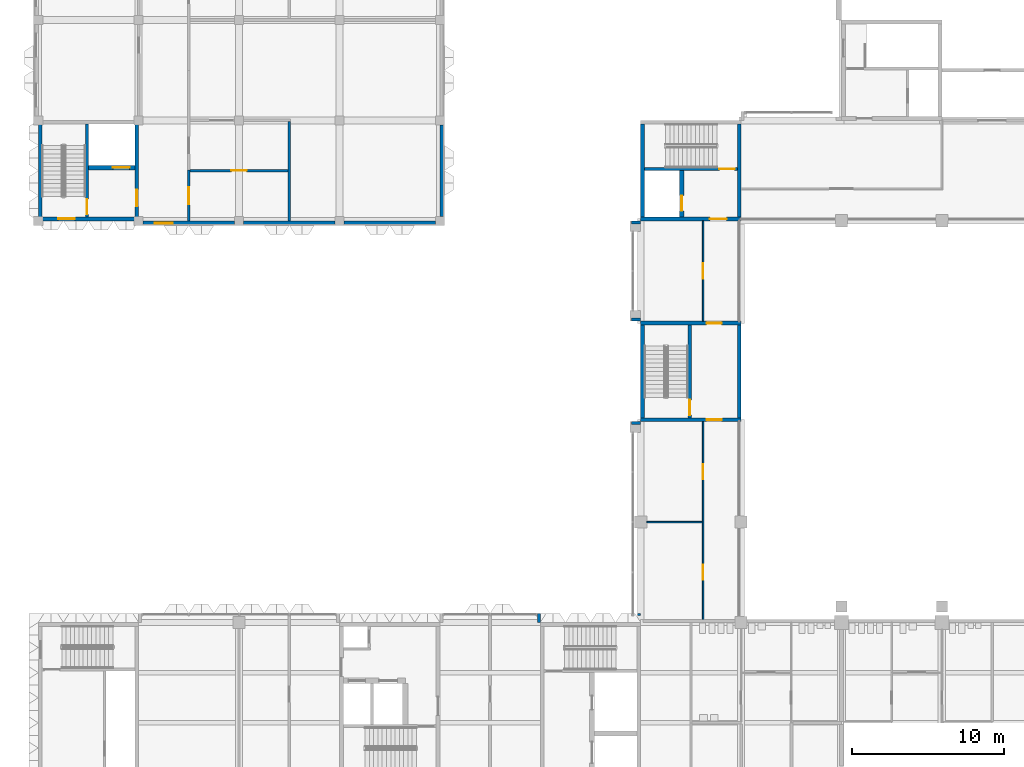
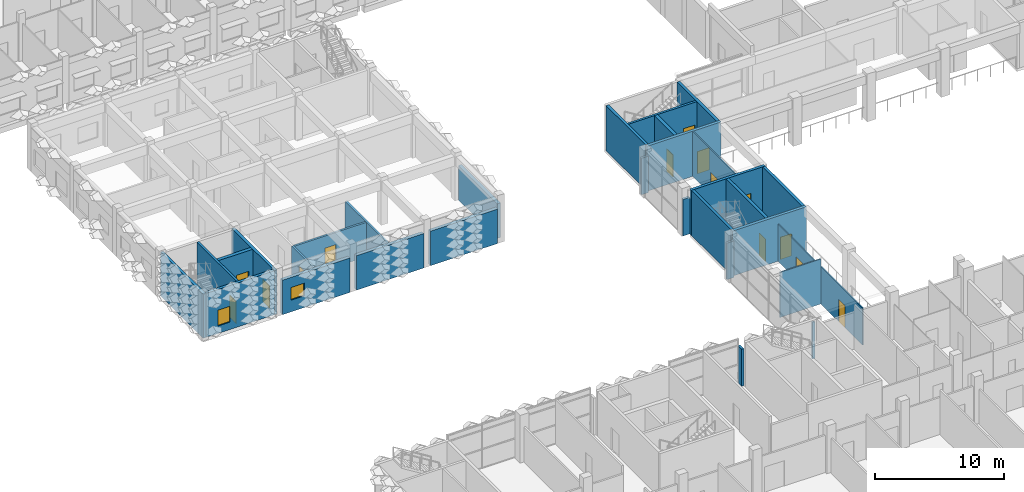
# One storey, part 30 of 87: 30 walls, 14 doors, 2 windows, 16 openings.
"""IFC4 building model written with IfcOpenShell, lengths in metres."""

import ifcopenshell
import ifcopenshell.guid

model = None  # the IFC model being written
_history = None  # IfcOwnerHistory: only IFC2X3 demands one
_inside = {}  # id of a spatial element -> (the spatial element, [elements in it])
_under = {}  # id of a project, library or spatial element -> (it, [spatial elements below it])
_declared = {}  # id of a project -> (the project, [libraries it declares])
_typed = {}  # id of a type object -> (the type object, [elements of that type])
_made_of = {}  # id of a material, layer set ... -> (it, [elements and type objects made of it])


def new_model(schema):
    """Start an empty IFC model of exactly this schema.

    Asked for "IFC4X3", IfcOpenShell would pick the latest addendum, in which some entities
    have other attributes; the version numbers below select the first issue.
    IFC2X3 requires an IfcOwnerHistory on every rooted entity: one is made here for all.
    """
    global model, _history
    if schema == "IFC4X3":
        model = ifcopenshell.file(schema_version=(4, 3, 0, 0))
    else:
        model = ifcopenshell.file(schema=schema)
    _inside.clear()
    _under.clear()
    _declared.clear()
    _typed.clear()
    _made_of.clear()
    _history = None
    if model.schema == "IFC2X3":
        org = make("IfcOrganization", Name="unknown")
        user = make(
            "IfcPersonAndOrganization",
            ThePerson=make("IfcPerson", FamilyName="unknown"),
            TheOrganization=org,
        )
        app = make(
            "IfcApplication",
            ApplicationDeveloper=org,
            Version="unknown",
            ApplicationFullName="unknown",
            ApplicationIdentifier="unknown",
        )
        _history = make(
            "IfcOwnerHistory",
            OwningUser=user,
            OwningApplication=app,
            ChangeAction="ADDED",
            CreationDate=0,
        )
    return model


def make(cls, **values):
    """One entity of the class cls with the attributes given. An attribute that is None is left unset."""
    return model.create_entity(
        cls, **{name: value for name, value in values.items() if value is not None}
    )


def rooted(cls, **values):
    """An entity with a GlobalId (a new one), such as an element, a storey or a relation."""
    return make(cls, GlobalId=ifcopenshell.guid.new(), OwnerHistory=_history, **values)


def si_unit(unit_type, name, prefix=None):
    """IfcSIUnit, for example si_unit("LENGTHUNIT", "METRE", prefix="MILLI")."""
    return make("IfcSIUnit", UnitType=unit_type, Prefix=prefix, Name=name)


def assignment(units):
    """IfcUnitAssignment: the units of a project."""
    return None if units is None else make("IfcUnitAssignment", Units=units)


def point(xyz):
    """IfcCartesianPoint."""
    return None if xyz is None else make("IfcCartesianPoint", Coordinates=xyz)


def direction(xyz):
    """IfcDirection."""
    return None if xyz is None else make("IfcDirection", DirectionRatios=xyz)


def frame(location, z_axis=None, x_axis=None):
    """IfcAxis2Placement3D, a coordinate frame: its origin and axes. An axis left out is left unset."""
    return make(
        "IfcAxis2Placement3D",
        Location=point(location),
        Axis=direction(z_axis),
        RefDirection=direction(x_axis),
    )


def frame_2d(location, x_axis=None):
    """IfcAxis2Placement2D, a coordinate frame in the plane: its origin and x axis."""
    return make(
        "IfcAxis2Placement2D", Location=point(location), RefDirection=direction(x_axis)
    )


def origin():
    """The frame at (0, 0, 0) with its axes left unset."""
    return frame((0.0, 0.0, 0.0))


def place(relative_to, where):
    """IfcLocalPlacement: puts the frame where relative to a parent placement (None: the world)."""
    return make(
        "IfcLocalPlacement", PlacementRelTo=relative_to, RelativePlacement=where
    )


def context(
    kind, dimensions, precision=None, world=None, true_north=None, identifier=None
):
    """IfcGeometricRepresentationContext, for example the 3D "Model" context."""
    return make(
        "IfcGeometricRepresentationContext",
        ContextIdentifier=identifier,
        ContextType=kind,
        CoordinateSpaceDimension=dimensions,
        Precision=precision,
        WorldCoordinateSystem=world,
        TrueNorth=true_north,
    )


def subcontext(parent, identifier, kind, view, scale=None):
    """IfcGeometricRepresentationSubContext, for example "Body" below "Model"."""
    return make(
        "IfcGeometricRepresentationSubContext",
        ContextIdentifier=identifier,
        ContextType=kind,
        ParentContext=parent,
        TargetScale=scale,
        TargetView=view,
    )


def project(units=None, contexts=None):
    """IfcProject with its units and contexts."""
    return rooted(
        "IfcProject",
        Name="project",
        RepresentationContexts=contexts,
        UnitsInContext=assignment(units),
    )


def spatial(cls, under=None, at=None, **own):
    """A site, building, storey or space (cls), placed at a placement, below another one or the project."""
    s = rooted(cls, ObjectPlacement=at, **own)
    if under is not None:
        _under.setdefault(under.id(), (under, []))[1].append(s)
    return s


def profile(cls, at=None, kind="AREA", **sizes):
    """A parametric profile (cls). Its sizes go by their IFC names, for example OverallWidth=200.0."""
    return make(cls, ProfileType=kind, Position=at, **sizes)


def rectangle(**sizes):
    """IfcRectangleProfileDef."""
    return profile("IfcRectangleProfileDef", **sizes)


def extrude(swept, where, along, depth):
    """IfcExtrudedAreaSolid: the profile swept, set in the frame where, extruded along a direction by depth."""
    return make(
        "IfcExtrudedAreaSolid",
        SweptArea=swept,
        Position=where,
        ExtrudedDirection=direction(along),
        Depth=depth,
    )


def shape(context_of_items, identifier, shape_type, items):
    """IfcShapeRepresentation: the items that make up one representation, for example the "Body"."""
    return make(
        "IfcShapeRepresentation",
        ContextOfItems=context_of_items,
        RepresentationIdentifier=identifier,
        RepresentationType=shape_type,
        Items=items,
    )


def material(Name=None, Category=None):
    """IfcMaterial."""
    return make("IfcMaterial", Name=Name, Category=Category)


def layer(
    of_material, thickness, ventilated=None, Name=None, Category=None, Priority=None
):
    """IfcMaterialLayer: one layer of a wall or slab, of a material (None: an air gap)."""
    return make(
        "IfcMaterialLayer",
        Material=of_material,
        LayerThickness=thickness,
        IsVentilated=ventilated,
        Name=Name,
        Category=Category,
        Priority=Priority,
    )


def layer_set(layers, Name=None):
    """IfcMaterialLayerSet."""
    return make("IfcMaterialLayerSet", MaterialLayers=layers, LayerSetName=Name)


def made_of(thing, what):
    """Note that an element or type object is made of a material, layer set ...; save() writes the relation."""
    if what is not None:
        _made_of.setdefault(what.id(), (what, []))[1].append(thing)
    return thing


def type_object(cls, material=None, **own):
    """A type object (cls), such as IfcWallType, which elements share."""
    return made_of(rooted(cls, **own), material)


def element(
    cls,
    number,
    at=None,
    inside=None,
    cuts=None,
    type_object=None,
    material=None,
    context=None,
    identifier="Body",
    shape_type=None,
    held_by="IfcProductDefinitionShape",
    body=None,
    shapes=None,
    **own,
):
    """One element of the class cls, such as IfcWall. Its Tag is "e" and its number.

    at: its placement. inside: the storey or other place that contains it. cuts: it is an
    opening in that element (IfcRelVoidsElement). A single representation is given by context,
    identifier, shape_type and body (its items); several are given by shapes. held_by: the class
    of the entity that holds the representations. save() writes the other relations.
    """
    e = rooted(cls, Tag="e%d" % number, ObjectPlacement=at, **own)
    if body is not None:
        shapes = [shape(context, identifier, shape_type, body)]
    if shapes is not None:
        e.Representation = make(held_by, Representations=shapes)
    if inside is not None:
        _inside.setdefault(inside.id(), (inside, []))[1].append(e)
    if cuts is not None:
        rooted(
            "IfcRelVoidsElement", RelatingBuildingElement=cuts, RelatedOpeningElement=e
        )
    if type_object is not None:
        _typed.setdefault(type_object.id(), (type_object, []))[1].append(e)
    return made_of(e, material)


def fill(opening, filler):
    """IfcRelFillsElement: the door or window that sits in an opening."""
    return rooted(
        "IfcRelFillsElement",
        RelatingOpeningElement=opening,
        RelatedBuildingElement=filler,
    )


def aggregate(whole, parts):
    """IfcRelAggregates: a whole, such as a stair, and the parts it consists of."""
    return rooted("IfcRelAggregates", RelatingObject=whole, RelatedObjects=parts)


def save(model, path):
    """Write the relations noted so far, then the file.

    IfcRelAggregates (storeys below a building ...), IfcRelContainedInSpatialStructure (elements
    in a storey), IfcRelDefinesByType, IfcRelAssociatesMaterial and IfcRelDeclares: one each for
    every whole, place, type object, material and project.
    """
    for whole, parts in _under.values():
        aggregate(whole, parts)
    for where, things in _inside.values():
        rooted(
            "IfcRelContainedInSpatialStructure",
            RelatedElements=things,
            RelatingStructure=where,
        )
    for kind, things in _typed.values():
        rooted("IfcRelDefinesByType", RelatedObjects=things, RelatingType=kind)
    for what, things in _made_of.values():
        rooted("IfcRelAssociatesMaterial", RelatedObjects=things, RelatingMaterial=what)
    for by, libraries in _declared.values():
        rooted("IfcRelDeclares", RelatingContext=by, RelatedDefinitions=libraries)
    model.write(path)


model = new_model("IFC4")

# Units and contexts
model_context = context("Model", 3, precision=1e-05, world=origin(), true_north=direction((0.0, 1.0)))
body_context = subcontext(model_context, "Body", "Model", "MODEL_VIEW")
ifc_project = project(units=[si_unit("LENGTHUNIT", "METRE"), si_unit("AREAUNIT", "SQUARE_METRE"), si_unit("VOLUMEUNIT", "CUBIC_METRE"), si_unit("PLANEANGLEUNIT", "RADIAN"), si_unit("MASSUNIT", "GRAM", prefix="KILO")], contexts=[model_context])

# Site, building, storey
site_placement = place(None, origin())
site = spatial("IfcSite", under=ifc_project, at=site_placement, CompositionType="ELEMENT")
building_placement = place(site_placement, origin())
building = spatial("IfcBuilding", under=site, at=building_placement, Name="Lantern Court Research Institute", CompositionType="ELEMENT")
storey_placement = place(building_placement, frame((0.0, 0.0, 5.39990234375)))
storey = spatial("IfcBuildingStorey", under=building, at=storey_placement, Name="L01", CompositionType="ELEMENT", Elevation=5.39990234375)

# Wall, opening, door
ifc_material_1 = material(Name="Coated metal-faced insulated panel")
ifc_layer_1 = layer(ifc_material_1, 0.175048828125)
ifc_layer_set_1 = layer_set([ifc_layer_1], Name="Coated metal-faced insulated panel")
wall_type_1 = type_object("IfcWallType", Name="Clean room wall 175 mm EI 60", PredefinedType="PARTITIONING", material=ifc_layer_set_1)
wall_1_placement = place(storey_placement, frame((16.4130859375, 52.800048828125, 0.0), z_axis=(0.0, 0.0, 1.0), x_axis=(-1.0, 0.0, 0.0)))
wall_1 = element("IfcWall", 1, at=wall_1_placement, inside=storey, type_object=wall_type_1, Name="Wall V3-L01-001", PredefinedType="PARTITIONING", context=body_context, shape_type="SweptSolid", body=[
    extrude(rectangle(XDim=6.425048828125, YDim=0.175048828125, at=frame_2d((3.21240234375, 0.0))), origin(), (0.0, 0.0, 1.0), 3.25),
])
opening_1_placement = place(wall_1_placement, frame((2.712890625, 0.0, 0.0)))
opening_1 = element("IfcOpeningElement", 2, at=opening_1_placement, cuts=wall_1, Name="Opening D3101", PredefinedType="OPENING", context=body_context, shape_type="SweptSolid", body=[
    extrude(rectangle(XDim=1.0, YDim=2.10009765625, at=frame_2d((0.5, 1.050048828125))), frame((0.0, 0.097412109375, 0.0), z_axis=(0.0, -1.0, 0.0), x_axis=(1.0, 0.0, 0.0)), (0.0, 0.0, 1.0), 0.195068359375),
])
ifc_material_2 = material(Name="Hygienic coated metal door leaf")
door_type_1 = type_object("IfcDoorType", Name="Door 1000 x 2100 clean room FD30S", OperationType="NOTDEFINED", PredefinedType="DOOR", material=ifc_material_2)
door_1_placement = place(opening_1_placement, origin())
door_1 = element("IfcDoor", 3, at=door_1_placement, inside=storey, type_object=door_type_1, Name="Door D3101", OperationType="SINGLE_SWING_RIGHT", OverallHeight=2.10009765625, OverallWidth=1.0, PredefinedType="DOOR", context=body_context, shape_type="SweptSolid", body=[
    extrude(rectangle(XDim=1.0, YDim=2.10009765625, at=frame_2d((0.5, 1.050048828125))), frame((0.0, 0.02490234375, 0.0), z_axis=(0.0, -1.0, 0.0), x_axis=(1.0, 0.0, 0.0)), (0.0, 0.0, 1.0), 0.050048828125),
])
fill(opening_1, door_1)

wall_2_placement = place(storey_placement, frame((9.89990234375, 52.824951171875, 0.0), z_axis=(0.0, 0.0, 1.0), x_axis=(0.0, -1.0, 0.0)))
wall_2 = element("IfcWall", 4, at=wall_2_placement, inside=storey, type_object=wall_type_1, Name="Wall V3-L01-015", PredefinedType="PARTITIONING", context=body_context, shape_type="SweptSolid", body=[
    extrude(rectangle(XDim=3.324951171875, YDim=0.175048828125, at=frame_2d((1.66259765625, 0.0))), origin(), (0.0, 0.0, 1.0), 3.25),
])
opening_2_placement = place(wall_2_placement, frame((1.125, 0.0, 0.0)))
opening_2 = element("IfcOpeningElement", 5, at=opening_2_placement, cuts=wall_2, Name="Opening D3107", PredefinedType="OPENING", context=body_context, shape_type="SweptSolid", body=[
    extrude(rectangle(XDim=1.10009765625, YDim=2.10009765625, at=frame_2d((0.550048828125, 1.050048828125))), frame((0.0, 0.097412109375, 0.0), z_axis=(0.0, -1.0, 0.0), x_axis=(1.0, 0.0, 0.0)), (0.0, 0.0, 1.0), 0.195068359375),
])
ifc_material_3 = material(Name="Hygienic coated metal door leaf")
door_type_2 = type_object("IfcDoorType", Name="Door 1100 x 2100 gowning FD30S", OperationType="NOTDEFINED", PredefinedType="DOOR", material=ifc_material_3)
door_2_placement = place(opening_2_placement, origin())
door_2 = element("IfcDoor", 6, at=door_2_placement, inside=storey, type_object=door_type_2, Name="Door D3107", OperationType="SINGLE_SWING_RIGHT", OverallHeight=2.10009765625, OverallWidth=1.10009765625, PredefinedType="DOOR", context=body_context, shape_type="SweptSolid", body=[
    extrude(rectangle(XDim=1.10009765625, YDim=2.10009765625, at=frame_2d((0.550048828125, 1.050048828125))), frame((0.0, 0.02490234375, 0.0), z_axis=(0.0, -1.0, 0.0), x_axis=(1.0, 0.0, 0.0)), (0.0, 0.0, 1.0), 0.050048828125),
])
fill(opening_2, door_2)

# Walls
wall_3_placement = place(storey_placement, frame((16.5, 49.5, 0.0), z_axis=(0.0, 0.0, 1.0), x_axis=(0.0, 1.0, 0.0)))
element("IfcWall", 7, at=wall_3_placement, inside=storey, type_object=wall_type_1, Name="Wall V3-L01-019", PredefinedType="PARTITIONING", context=body_context, shape_type="SweptSolid", body=[
    extrude(rectangle(XDim=6.512939453125, YDim=0.175048828125, at=frame_2d((3.25634765625, 0.0))), origin(), (0.0, 0.0, 1.0), 3.25),
])
ifc_material_4 = material(Name="Aluminium alloy 6063-T6", Category="aluminium")
ifc_layer_2 = layer(ifc_material_4, 0.14990234375)
ifc_layer_set_2 = layer_set([ifc_layer_2], Name="Aluminium alloy 6063-T6")
wall_type_2 = type_object("IfcWallType", Name="Entrance screen wall 150 aluminium", PredefinedType="STANDARD", material=ifc_layer_set_2)
wall_4_placement = place(storey_placement, frame((39.375, 23.625, 0.0), z_axis=(0.0, 0.0, 1.0), x_axis=(1.0, 0.0, 0.0)))
element("IfcWall", 8, at=wall_4_placement, inside=storey, type_object=wall_type_2, Name="Exterior wall EW095", PredefinedType="STANDARD", context=body_context, shape_type="SweptSolid", body=[
    extrude(rectangle(XDim=0.22509765625, YDim=0.14990234375, at=frame_2d((0.112548828125, 0.0))), origin(), (0.0, 0.0, 1.0), 3.4501953125),
])
ifc_material_5 = material(Name="Aluminium composite panel with mineral wool insulation", Category="aluminium")
ifc_layer_3 = layer(ifc_material_5, 0.300048828125)
ifc_layer_set_3 = layer_set([ifc_layer_3], Name="Aluminium composite panel with mineral wool insulation")
wall_type_3 = type_object("IfcWallType", Name="Insulated panel wall 300 aluminium faced", PredefinedType="STANDARD", material=ifc_layer_set_3)
wall_5_placement = place(storey_placement, frame((26.550048828125, 55.800048828125, 0.0), z_axis=(0.0, 0.0, 1.0), x_axis=(0.0, -1.0, 0.0)))
element("IfcWall", 9, at=wall_5_placement, inside=storey, type_object=wall_type_3, Name="Exterior wall EW083", PredefinedType="STANDARD", context=body_context, shape_type="SweptSolid", body=[
    extrude(rectangle(XDim=6.0, YDim=0.300048828125, at=frame_2d((3.0, 0.0))), origin(), (0.0, 0.0, 1.0), 3.25),
])

# Wall, opening, window
wall_6_placement = place(storey_placement, frame((12.89990234375, 49.35009765625, 0.0), z_axis=(0.0, 0.0, 1.0), x_axis=(-1.0, 0.0, 0.0)))
wall_6 = element("IfcWall", 10, at=wall_6_placement, inside=storey, type_object=wall_type_3, Name="Exterior wall EW089", PredefinedType="STANDARD", context=body_context, shape_type="SweptSolid", body=[
    extrude(rectangle(XDim=6.0, YDim=0.300048828125, at=frame_2d((3.0, 0.0))), origin(), (0.0, 0.0, 1.0), 3.25),
])
opening_3_placement = place(wall_6_placement, frame((4.050048828125, 0.0, 1.10009765625)))
opening_3 = element("IfcOpeningElement", 11, at=opening_3_placement, cuts=wall_6, Name="Opening W05", PredefinedType="OPENING", context=body_context, shape_type="SweptSolid", body=[
    extrude(rectangle(XDim=1.199951171875, YDim=1.199951171875, at=frame_2d((0.60009765625, 0.60009765625))), frame((0.0, 0.159912109375, 0.0), z_axis=(0.0, -1.0, 0.0), x_axis=(1.0, 0.0, 0.0)), (0.0, 0.0, 1.0), 0.320068359375),
])
ifc_material_6 = material(Name="Aluminium frame with laminated low-emissivity glazing", Category="aluminium")
window_type_1 = type_object("IfcWindowType", Name="Corridor end window 1200 x 1200", PartitioningType="SINGLE_PANEL", PredefinedType="WINDOW", material=ifc_material_6)
window_1_placement = place(opening_3_placement, origin())
window_1 = element("IfcWindow", 12, at=window_1_placement, inside=storey, type_object=window_type_1, Name="Window W05 V3S L01", OverallHeight=1.199951171875, OverallWidth=1.199951171875, PartitioningType="SINGLE_PANEL", PredefinedType="WINDOW", context=body_context, shape_type="SweptSolid", body=[
    extrude(rectangle(XDim=1.199951171875, YDim=1.199951171875, at=frame_2d((0.60009765625, 0.60009765625))), frame((0.0, 0.030029296875, 0.0), z_axis=(0.0, -1.0, 0.0), x_axis=(1.0, 0.0, 0.0)), (0.0, 0.0, 1.0), 0.06005859375),
])
fill(opening_3, window_1)

# Walls
for number, where, z_axis, x_axis, name in (
    (13, (19.5, 49.35009765625, 0.0), (0.0, 0.0, 1.0), (-1.0, 0.0, 0.0), "Exterior wall EW090"),
    (14, (26.10009765625, 49.35009765625, 0.0), (0.0, 0.0, 1.0), (-1.0, 0.0, 0.0), "Exterior wall EW091"),
):
    element("IfcWall", number, at=place(storey_placement, frame(where, z_axis=z_axis, x_axis=x_axis)), inside=storey, type_object=wall_type_3, Name=name, PredefinedType="STANDARD", context=body_context, shape_type="SweptSolid", body=[
        extrude(rectangle(XDim=6.0, YDim=0.300048828125, at=frame_2d((3.0, 0.0))), origin(), (0.0, 0.0, 1.0), 3.25),
    ])
ifc_material_7 = material(Name="Gypsum board on metal studs")
ifc_layer_4 = layer(ifc_material_7, 0.10009765625)
ifc_layer_set_4 = layer_set([ifc_layer_4], Name="Gypsum board on metal studs")
wall_type_4 = type_object("IfcWallType", Name="Partition 100 mm", PredefinedType="PARTITIONING", material=ifc_layer_set_4)
wall_7_placement = place(storey_placement, frame((40.0, 29.699951171875, 0.0), z_axis=(0.0, 0.0, 1.0), x_axis=(1.0, 0.0, 0.0)))
element("IfcWall", 15, at=wall_7_placement, inside=storey, type_object=wall_type_4, Name="Wall V2-L01-006", PredefinedType="PARTITIONING", context=body_context, shape_type="SweptSolid", body=[
    extrude(rectangle(XDim=3.64990234375, YDim=0.10009765625, at=frame_2d((1.824951171875, 0.0))), origin(), (0.0, 0.0, 1.0), 4.25),
])

# Wall, openings, doors
wall_8_placement = place(storey_placement, frame((43.699951171875, 23.25, 0.0), z_axis=(0.0, 0.0, 1.0), x_axis=(0.0, 1.0, 0.0)))
wall_8 = element("IfcWall", 16, at=wall_8_placement, inside=storey, type_object=wall_type_4, Name="Wall V2-L01-009", PredefinedType="PARTITIONING", context=body_context, shape_type="SweptSolid", body=[
    extrude(rectangle(XDim=13.050048828125, YDim=0.10009765625, at=frame_2d((6.52490234375, 0.0))), origin(), (0.0, 0.0, 1.0), 3.5),
])
opening_4_placement = place(wall_8_placement, frame((2.64990234375, 0.0, 0.0)))
opening_4 = element("IfcOpeningElement", 17, at=opening_4_placement, cuts=wall_8, Name="Opening D2103", PredefinedType="OPENING", context=body_context, shape_type="SweptSolid", body=[
    extrude(rectangle(XDim=1.0, YDim=2.10009765625, at=frame_2d((0.5, 1.050048828125))), frame((0.0, 0.06005859375, 0.0), z_axis=(0.0, -1.0, 0.0), x_axis=(1.0, 0.0, 0.0)), (0.0, 0.0, 1.0), 0.1201171875),
])
opening_5_placement = place(wall_8_placement, frame((9.25, 0.0, 0.0)))
opening_5 = element("IfcOpeningElement", 18, at=opening_5_placement, cuts=wall_8, Name="Opening D2104", PredefinedType="OPENING", context=body_context, shape_type="SweptSolid", body=[
    extrude(rectangle(XDim=1.0, YDim=2.10009765625, at=frame_2d((0.5, 1.050048828125))), frame((0.0, 0.06005859375, 0.0), z_axis=(0.0, -1.0, 0.0), x_axis=(1.0, 0.0, 0.0)), (0.0, 0.0, 1.0), 0.1201171875),
])
ifc_material_8 = material(Name="Timber veneered door leaf", Category="wood")
door_type_3 = type_object("IfcDoorType", Name="Door 1000 x 2100 meeting room", OperationType="NOTDEFINED", PredefinedType="DOOR", material=ifc_material_8)
door_3_placement = place(opening_4_placement, origin())
door_3 = element("IfcDoor", 19, at=door_3_placement, inside=storey, type_object=door_type_3, Name="Door D2103", OperationType="SINGLE_SWING_LEFT", OverallHeight=2.10009765625, OverallWidth=1.0, PredefinedType="DOOR", context=body_context, shape_type="SweptSolid", body=[
    extrude(rectangle(XDim=1.0, YDim=2.10009765625, at=frame_2d((0.5, 1.050048828125))), frame((0.0, 0.02490234375, 0.0), z_axis=(0.0, -1.0, 0.0), x_axis=(1.0, 0.0, 0.0)), (0.0, 0.0, 1.0), 0.050048828125),
])
fill(opening_4, door_3)
door_4_placement = place(opening_5_placement, origin())
door_4 = element("IfcDoor", 20, at=door_4_placement, inside=storey, type_object=door_type_3, Name="Door D2104", OperationType="SINGLE_SWING_RIGHT", OverallHeight=2.10009765625, OverallWidth=1.0, PredefinedType="DOOR", context=body_context, shape_type="SweptSolid", body=[
    extrude(rectangle(XDim=1.0, YDim=2.10009765625, at=frame_2d((0.5, 1.050048828125))), frame((0.0, 0.02490234375, 0.0), z_axis=(0.0, -1.0, 0.0), x_axis=(1.0, 0.0, 0.0)), (0.0, 0.0, 1.0), 0.050048828125),
])
fill(opening_5, door_4)

# Wall, opening, door
wall_9_placement = place(storey_placement, frame((43.699951171875, 42.89990234375, 0.0), z_axis=(0.0, 0.0, 1.0), x_axis=(0.0, 1.0, 0.0)))
wall_9 = element("IfcWall", 21, at=wall_9_placement, inside=storey, type_object=wall_type_4, Name="Wall V2-L01-010", PredefinedType="PARTITIONING", context=body_context, shape_type="SweptSolid", body=[
    extrude(rectangle(XDim=6.60009765625, YDim=0.10009765625, at=frame_2d((3.300048828125, 0.0))), origin(), (0.0, 0.0, 1.0), 4.25),
])
opening_6_placement = place(wall_9_placement, frame((2.800048828125, 0.0, 0.0)))
opening_6 = element("IfcOpeningElement", 22, at=opening_6_placement, cuts=wall_9, Name="Opening D2105", PredefinedType="OPENING", context=body_context, shape_type="SweptSolid", body=[
    extrude(rectangle(XDim=1.0, YDim=2.10009765625, at=frame_2d((0.5, 1.050048828125))), frame((0.0, 0.06005859375, 0.0), z_axis=(0.0, -1.0, 0.0), x_axis=(1.0, 0.0, 0.0)), (0.0, 0.0, 1.0), 0.1201171875),
])
door_5_placement = place(opening_6_placement, origin())
door_5 = element("IfcDoor", 23, at=door_5_placement, inside=storey, type_object=door_type_3, Name="Door D2105", OperationType="SINGLE_SWING_RIGHT", OverallHeight=2.10009765625, OverallWidth=1.0, PredefinedType="DOOR", context=body_context, shape_type="SweptSolid", body=[
    extrude(rectangle(XDim=1.0, YDim=2.10009765625, at=frame_2d((0.5, 1.050048828125))), frame((0.0, 0.02490234375, 0.0), z_axis=(0.0, -1.0, 0.0), x_axis=(1.0, 0.0, 0.0)), (0.0, 0.0, 1.0), 0.050048828125),
])
fill(opening_6, door_5)

ifc_material_9 = material(Name="Concrete C40/50", Category="concrete")
ifc_layer_5 = layer(ifc_material_9, 0.25)
ifc_layer_set_5 = layer_set([ifc_layer_5], Name="Concrete C40/50")
wall_type_5 = type_object("IfcWallType", Name="RC core wall 250", PredefinedType="SHEAR", material=ifc_layer_set_5)
wall_10_placement = place(storey_placement, frame((6.47509765625, 49.5, 0.0), z_axis=(0.0, 0.0, 1.0), x_axis=(0.0, 1.0, 0.0)))
wall_10 = element("IfcWall", 24, at=wall_10_placement, inside=storey, type_object=wall_type_5, Name="East wall of core CC-A", PredefinedType="SHEAR", context=body_context, shape_type="SweptSolid", body=[
    extrude(rectangle(XDim=6.60009765625, YDim=0.25, at=frame_2d((3.300048828125, 0.0))), origin(), (0.0, 0.0, 1.0), 4.150146484375),
])
opening_7_placement = place(wall_10_placement, frame((0.949951171875, 0.0, 0.0)))
opening_7 = element("IfcOpeningElement", 25, at=opening_7_placement, cuts=wall_10, Name="Opening D7280", PredefinedType="OPENING", context=body_context, shape_type="SweptSolid", body=[
    extrude(rectangle(XDim=1.10009765625, YDim=2.10009765625, at=frame_2d((0.550048828125, 1.050048828125))), frame((0.0, 0.135009765625, 0.0), z_axis=(0.0, -1.0, 0.0), x_axis=(1.0, 0.0, 0.0)), (0.0, 0.0, 1.0), 0.27001953125),
])
ifc_material_10 = material(Name="Steel fire door leaf with smoke seals", Category="steel")
door_type_4 = type_object("IfcDoorType", Name="Door 1100 x 2100 fire rated FD60S", OperationType="NOTDEFINED", PredefinedType="DOOR", material=ifc_material_10)
door_6_placement = place(opening_7_placement, origin())
door_6 = element("IfcDoor", 26, at=door_6_placement, inside=storey, type_object=door_type_4, Name="Lobby door", OperationType="SINGLE_SWING_RIGHT", OverallHeight=2.10009765625, OverallWidth=1.10009765625, PredefinedType="DOOR", context=body_context, shape_type="SweptSolid", body=[
    extrude(rectangle(XDim=1.10009765625, YDim=2.10009765625, at=frame_2d((0.550048828125, 1.050048828125))), frame((0.0, 0.02490234375, 0.0), z_axis=(0.0, -1.0, 0.0), x_axis=(1.0, 0.0, 0.0)), (0.0, 0.0, 1.0), 0.050048828125),
])
fill(opening_7, door_6)

wall_11_placement = place(storey_placement, frame((39.60009765625, 49.625, 0.0), z_axis=(0.0, 0.0, 1.0), x_axis=(1.0, 0.0, 0.0)))
wall_11 = element("IfcWall", 27, at=wall_11_placement, inside=storey, type_object=wall_type_5, Name="South wall of core HC-A", PredefinedType="SHEAR", context=body_context, shape_type="SweptSolid", body=[
    extrude(rectangle(XDim=6.599853515625, YDim=0.25, at=frame_2d((3.2998046875, 0.0))), origin(), (0.0, 0.0, 1.0), 4.25),
])
opening_8_placement = place(wall_11_placement, frame((4.550048828125, 0.0, 0.0)))
opening_8 = element("IfcOpeningElement", 28, at=opening_8_placement, cuts=wall_11, Name="Opening D7307", PredefinedType="OPENING", context=body_context, shape_type="SweptSolid", body=[
    extrude(rectangle(XDim=1.10009765625, YDim=2.10009765625, at=frame_2d((0.550048828125, 1.050048828125))), frame((0.0, 0.135009765625, 0.0), z_axis=(0.0, -1.0, 0.0), x_axis=(1.0, 0.0, 0.0)), (0.0, 0.0, 1.0), 0.27001953125),
])
door_7_placement = place(opening_8_placement, origin())
door_7 = element("IfcDoor", 29, at=door_7_placement, inside=storey, type_object=door_type_4, Name="Lobby door", OperationType="SINGLE_SWING_LEFT", OverallHeight=2.10009765625, OverallWidth=1.10009765625, PredefinedType="DOOR", context=body_context, shape_type="SweptSolid", body=[
    extrude(rectangle(XDim=1.10009765625, YDim=2.10009765625, at=frame_2d((0.550048828125, 1.050048828125))), frame((0.0, 0.02490234375, 0.0), z_axis=(0.0, -1.0, 0.0), x_axis=(1.0, 0.0, 0.0)), (0.0, 0.0, 1.0), 0.050048828125),
])
fill(opening_8, door_7)

# Wall
wall_12_placement = place(storey_placement, frame((46.074951171875, 49.75, 0.0), z_axis=(0.0, 0.0, 1.0), x_axis=(0.0, 1.0, 0.0)))
element("IfcWall", 30, at=wall_12_placement, inside=storey, type_object=wall_type_5, Name="East wall of core HC-A", PredefinedType="SHEAR", context=body_context, shape_type="SweptSolid", body=[
    extrude(rectangle(XDim=6.10009765625, YDim=0.25, at=frame_2d((3.050048828125, 0.0))), origin(), (0.0, 0.0, 1.0), 4.25),
])

# Wall, opening, door
wall_13_placement = place(storey_placement, frame((39.60009765625, 36.425048828125, 0.0), z_axis=(0.0, 0.0, 1.0), x_axis=(1.0, 0.0, 0.0)))
wall_13 = element("IfcWall", 31, at=wall_13_placement, inside=storey, type_object=wall_type_5, Name="South wall of core HC-C", PredefinedType="SHEAR", context=body_context, shape_type="SweptSolid", body=[
    extrude(rectangle(XDim=6.599853515625, YDim=0.25, at=frame_2d((3.2998046875, 0.0))), origin(), (0.0, 0.0, 1.0), 4.25),
])
opening_9_placement = place(wall_13_placement, frame((4.324951171875, 0.0, 0.0)))
opening_9 = element("IfcOpeningElement", 32, at=opening_9_placement, cuts=wall_13, Name="Opening D7327", PredefinedType="OPENING", context=body_context, shape_type="SweptSolid", body=[
    extrude(rectangle(XDim=1.0, YDim=2.10009765625, at=frame_2d((0.5, 1.050048828125))), frame((0.0, 0.135009765625, 0.0), z_axis=(0.0, -1.0, 0.0), x_axis=(1.0, 0.0, 0.0)), (0.0, 0.0, 1.0), 0.27001953125),
])
ifc_material_11 = material(Name="Steel fire door leaf with smoke seals", Category="steel")
door_type_5 = type_object("IfcDoorType", Name="Door 1000 x 2100 fire rated FD60S", OperationType="NOTDEFINED", PredefinedType="DOOR", material=ifc_material_11)
door_8_placement = place(opening_9_placement, origin())
door_8 = element("IfcDoor", 33, at=door_8_placement, inside=storey, type_object=door_type_5, Name="Lobby door", OperationType="SINGLE_SWING_RIGHT", OverallHeight=2.10009765625, OverallWidth=1.0, PredefinedType="DOOR", context=body_context, shape_type="SweptSolid", body=[
    extrude(rectangle(XDim=1.0, YDim=2.10009765625, at=frame_2d((0.5, 1.050048828125))), frame((0.0, 0.02490234375, 0.0), z_axis=(0.0, -1.0, 0.0), x_axis=(1.0, 0.0, 0.0)), (0.0, 0.0, 1.0), 0.050048828125),
])
fill(opening_9, door_8)

wall_14_placement = place(storey_placement, frame((39.60009765625, 42.77490234375, 0.0), z_axis=(0.0, 0.0, 1.0), x_axis=(1.0, 0.0, 0.0)))
wall_14 = element("IfcWall", 34, at=wall_14_placement, inside=storey, type_object=wall_type_5, Name="North wall of core HC-C", PredefinedType="SHEAR", context=body_context, shape_type="SweptSolid", body=[
    extrude(rectangle(XDim=6.599853515625, YDim=0.25, at=frame_2d((3.2998046875, 0.0))), origin(), (0.0, 0.0, 1.0), 4.25),
])
opening_10_placement = place(wall_14_placement, frame((4.324951171875, 0.0, 0.0)))
opening_10 = element("IfcOpeningElement", 35, at=opening_10_placement, cuts=wall_14, Name="Opening D7328", PredefinedType="OPENING", context=body_context, shape_type="SweptSolid", body=[
    extrude(rectangle(XDim=1.0, YDim=2.10009765625, at=frame_2d((0.5, 1.050048828125))), frame((0.0, 0.135009765625, 0.0), z_axis=(0.0, -1.0, 0.0), x_axis=(1.0, 0.0, 0.0)), (0.0, 0.0, 1.0), 0.27001953125),
])
door_9_placement = place(opening_10_placement, origin())
door_9 = element("IfcDoor", 36, at=door_9_placement, inside=storey, type_object=door_type_5, Name="Lobby door", OperationType="SINGLE_SWING_RIGHT", OverallHeight=2.10009765625, OverallWidth=1.0, PredefinedType="DOOR", context=body_context, shape_type="SweptSolid", body=[
    extrude(rectangle(XDim=1.0, YDim=2.10009765625, at=frame_2d((0.5, 1.050048828125))), frame((0.0, 0.02490234375, 0.0), z_axis=(0.0, -1.0, 0.0), x_axis=(1.0, 0.0, 0.0)), (0.0, 0.0, 1.0), 0.050048828125),
])
fill(opening_10, door_9)

# Wall
ifc_material_12 = material(Name="Concrete C40/50", Category="concrete")
ifc_layer_6 = layer(ifc_material_12, 0.25)
ifc_layer_set_6 = layer_set([ifc_layer_6], Name="Concrete C40/50")
wall_type_6 = type_object("IfcWallType", Name="RC core wall 250 facade", PredefinedType="SHEAR", material=ifc_layer_set_6)
wall_15_placement = place(storey_placement, frame((0.125, 49.5, 0.0), z_axis=(0.0, 0.0, 1.0), x_axis=(0.0, 1.0, 0.0)))
element("IfcWall", 37, at=wall_15_placement, inside=storey, type_object=wall_type_6, Name="West wall of core CC-A", PredefinedType="SHEAR", context=body_context, shape_type="SweptSolid", body=[
    extrude(rectangle(XDim=6.60009765625, YDim=0.25, at=frame_2d((3.300048828125, 0.0))), origin(), (0.0, 0.0, 1.0), 4.150146484375),
])

# Wall, opening, window
wall_16_placement = place(storey_placement, frame((6.35009765625, 49.625, 0.0), z_axis=(0.0, 0.0, 1.0), x_axis=(-1.0, 0.0, 0.0)))
wall_16 = element("IfcWall", 38, at=wall_16_placement, inside=storey, type_object=wall_type_6, Name="South wall of core CC-A", PredefinedType="SHEAR", context=body_context, shape_type="SweptSolid", body=[
    extrude(rectangle(XDim=6.10009765625, YDim=0.25, at=frame_2d((3.050048828125, 0.0))), origin(), (0.0, 0.0, 1.0), 4.150146484375),
])
opening_11_placement = place(wall_16_placement, frame((3.949951171875, 0.0, 0.699951171875)))
opening_11 = element("IfcOpeningElement", 39, at=opening_11_placement, cuts=wall_16, Name="Opening W5", PredefinedType="OPENING", context=body_context, shape_type="SweptSolid", body=[
    extrude(rectangle(XDim=1.10009765625, YDim=1.5, at=frame_2d((0.550048828125, 0.75))), frame((0.0, 0.135009765625, 0.0), z_axis=(0.0, -1.0, 0.0), x_axis=(1.0, 0.0, 0.0)), (0.0, 0.0, 1.0), 0.27001953125),
])
ifc_material_13 = material(Name="Aluminium alloy 6063-T6 frame with laminated glass", Category="aluminium")
window_type_2 = type_object("IfcWindowType", Name="Stair window 1100 x 1500", PartitioningType="SINGLE_PANEL", PredefinedType="WINDOW", material=ifc_material_13)
window_2_placement = place(opening_11_placement, origin())
window_2 = element("IfcWindow", 40, at=window_2_placement, inside=storey, type_object=window_type_2, Name="Stair window", OverallHeight=1.5, OverallWidth=1.10009765625, PartitioningType="SINGLE_PANEL", PredefinedType="WINDOW", context=body_context, shape_type="SweptSolid", body=[
    extrude(rectangle(XDim=1.10009765625, YDim=1.5, at=frame_2d((0.550048828125, 0.75))), frame((0.0, 0.030029296875, 0.0), z_axis=(0.0, -1.0, 0.0), x_axis=(1.0, 0.0, 0.0)), (0.0, 0.0, 1.0), 0.06005859375),
])
fill(opening_11, window_2)

# Walls
wall_17_placement = place(storey_placement, frame((39.72509765625, 49.75, 0.0), z_axis=(0.0, 0.0, 1.0), x_axis=(0.0, 1.0, 0.0)))
element("IfcWall", 41, at=wall_17_placement, inside=storey, type_object=wall_type_6, Name="West wall of core HC-A", PredefinedType="SHEAR", context=body_context, shape_type="SweptSolid", body=[
    extrude(rectangle(XDim=6.10009765625, YDim=0.25, at=frame_2d((3.050048828125, 0.0))), origin(), (0.0, 0.0, 1.0), 4.25),
])
for number, where, z_axis, x_axis, name in (
    (42, (39.72509765625, 36.550048828125, 0.0), (0.0, 0.0, 1.0), (0.0, 1.0, 0.0), "West wall of core HC-C"),
    (43, (46.074951171875, 36.550048828125, 0.0), (0.0, 0.0, 1.0), (0.0, 1.0, 0.0), "East wall of core HC-C"),
):
    element("IfcWall", number, at=place(storey_placement, frame(where, z_axis=z_axis, x_axis=x_axis)), inside=storey, type_object=wall_type_6, Name=name, PredefinedType="SHEAR", context=body_context, shape_type="SweptSolid", body=[
        extrude(rectangle(XDim=6.099853515625, YDim=0.25, at=frame_2d((3.0498046875, 0.0))), origin(), (0.0, 0.0, 1.0), 4.25),
    ])

# Wall, opening, door
ifc_material_14 = material(Name="Concrete C40/50", Category="concrete")
ifc_layer_7 = layer(ifc_material_14, 0.199951171875)
ifc_layer_set_7 = layer_set([ifc_layer_7], Name="Concrete C40/50")
wall_type_7 = type_object("IfcWallType", Name="RC shaft wall 200", PredefinedType="SHEAR", material=ifc_layer_set_7)
wall_18_placement = place(storey_placement, frame((3.199951171875, 49.75, 0.0), z_axis=(0.0, 0.0, 1.0), x_axis=(0.0, 1.0, 0.0)))
wall_18 = element("IfcWall", 44, at=wall_18_placement, inside=storey, type_object=wall_type_7, Name="Stair wall of core CC-A", PredefinedType="SHEAR", context=body_context, shape_type="SweptSolid", body=[
    extrude(rectangle(XDim=6.10009765625, YDim=0.199951171875, at=frame_2d((3.050048828125, 0.0))), origin(), (0.0, 0.0, 1.0), 4.150146484375),
])
opening_12_placement = place(wall_18_placement, frame((0.175048828125, 0.0, 0.0)))
opening_12 = element("IfcOpeningElement", 45, at=opening_12_placement, cuts=wall_18, Name="Opening D7281", PredefinedType="OPENING", context=body_context, shape_type="SweptSolid", body=[
    extrude(rectangle(XDim=1.0, YDim=2.10009765625, at=frame_2d((0.5, 1.050048828125))), frame((0.0, 0.10986328125, 0.0), z_axis=(0.0, -1.0, 0.0), x_axis=(1.0, 0.0, 0.0)), (0.0, 0.0, 1.0), 0.219970703125),
])
door_10_placement = place(opening_12_placement, origin())
door_10 = element("IfcDoor", 46, at=door_10_placement, inside=storey, type_object=door_type_5, Name="Stair door", OperationType="SINGLE_SWING_RIGHT", OverallHeight=2.10009765625, OverallWidth=1.0, PredefinedType="DOOR", context=body_context, shape_type="SweptSolid", body=[
    extrude(rectangle(XDim=1.0, YDim=2.10009765625, at=frame_2d((0.5, 1.050048828125))), frame((0.0, 0.02490234375, 0.0), z_axis=(0.0, -1.0, 0.0), x_axis=(1.0, 0.0, 0.0)), (0.0, 0.0, 1.0), 0.050048828125),
])
fill(opening_12, door_10)

wall_19_placement = place(storey_placement, frame((39.85009765625, 52.89990234375, 0.0), z_axis=(0.0, 0.0, 1.0), x_axis=(1.0, 0.0, 0.0)))
wall_19 = element("IfcWall", 47, at=wall_19_placement, inside=storey, type_object=wall_type_7, Name="Stair wall of core HC-A", PredefinedType="SHEAR", context=body_context, shape_type="SweptSolid", body=[
    extrude(rectangle(XDim=6.099853515625, YDim=0.199951171875, at=frame_2d((3.0498046875, 0.0))), origin(), (0.0, 0.0, 1.0), 4.25),
])
opening_13_placement = place(wall_19_placement, frame((4.925048828125, 0.0, 0.0)))
opening_13 = element("IfcOpeningElement", 48, at=opening_13_placement, cuts=wall_19, Name="Opening D7308", PredefinedType="OPENING", context=body_context, shape_type="SweptSolid", body=[
    extrude(rectangle(XDim=1.0, YDim=2.10009765625, at=frame_2d((0.5, 1.050048828125))), frame((0.0, 0.10986328125, 0.0), z_axis=(0.0, -1.0, 0.0), x_axis=(1.0, 0.0, 0.0)), (0.0, 0.0, 1.0), 0.219970703125),
])
door_11_placement = place(opening_13_placement, origin())
door_11 = element("IfcDoor", 49, at=door_11_placement, inside=storey, type_object=door_type_5, Name="Stair door", OperationType="SINGLE_SWING_LEFT", OverallHeight=2.10009765625, OverallWidth=1.0, PredefinedType="DOOR", context=body_context, shape_type="SweptSolid", body=[
    extrude(rectangle(XDim=1.0, YDim=2.10009765625, at=frame_2d((0.5, 1.050048828125))), frame((0.0, 0.02490234375, 0.0), z_axis=(0.0, -1.0, 0.0), x_axis=(1.0, 0.0, 0.0)), (0.0, 0.0, 1.0), 0.050048828125),
])
fill(opening_13, door_11)

ifc_material_15 = material(Name="Concrete C40/50", Category="concrete")
ifc_layer_8 = layer(ifc_material_15, 0.25)
ifc_layer_set_8 = layer_set([ifc_layer_8], Name="Concrete C40/50")
wall_type_8 = type_object("IfcWallType", Name="RC shaft wall 250", PredefinedType="SHEAR", material=ifc_layer_set_8)
wall_20_placement = place(storey_placement, frame((42.824951171875, 36.550048828125, 0.0), z_axis=(0.0, 0.0, 1.0), x_axis=(0.0, 1.0, 0.0)))
wall_20 = element("IfcWall", 50, at=wall_20_placement, inside=storey, type_object=wall_type_8, Name="Stair wall of core HC-C", PredefinedType="SHEAR", context=body_context, shape_type="SweptSolid", body=[
    extrude(rectangle(XDim=6.099853515625, YDim=0.25, at=frame_2d((3.0498046875, 0.0))), origin(), (0.0, 0.0, 1.0), 4.25),
])
opening_14_placement = place(wall_20_placement, frame((0.175048828125, 0.0, 0.0)))
opening_14 = element("IfcOpeningElement", 51, at=opening_14_placement, cuts=wall_20, Name="Opening D7329", PredefinedType="OPENING", context=body_context, shape_type="SweptSolid", body=[
    extrude(rectangle(XDim=1.0, YDim=2.10009765625, at=frame_2d((0.5, 1.050048828125))), frame((0.0, 0.135009765625, 0.0), z_axis=(0.0, -1.0, 0.0), x_axis=(1.0, 0.0, 0.0)), (0.0, 0.0, 1.0), 0.27001953125),
])
door_12_placement = place(opening_14_placement, origin())
door_12 = element("IfcDoor", 52, at=door_12_placement, inside=storey, type_object=door_type_5, Name="Stair door", OperationType="SINGLE_SWING_RIGHT", OverallHeight=2.10009765625, OverallWidth=1.0, PredefinedType="DOOR", context=body_context, shape_type="SweptSolid", body=[
    extrude(rectangle(XDim=1.0, YDim=2.10009765625, at=frame_2d((0.5, 1.050048828125))), frame((0.0, 0.02490234375, 0.0), z_axis=(0.0, -1.0, 0.0), x_axis=(1.0, 0.0, 0.0)), (0.0, 0.0, 1.0), 0.050048828125),
])
fill(opening_14, door_12)

ifc_material_16 = material(Name="Concrete C40/50", Category="concrete")
ifc_layer_9 = layer(ifc_material_16, 0.300048828125)
ifc_layer_set_9 = layer_set([ifc_layer_9], Name="Concrete C40/50")
wall_type_9 = type_object("IfcWallType", Name="RC shaft wall 300", PredefinedType="SHEAR", material=ifc_layer_set_9)
wall_21_placement = place(storey_placement, frame((6.35009765625, 53.0, 0.0), z_axis=(0.0, 0.0, 1.0), x_axis=(-1.0, 0.0, 0.0)))
wall_21 = element("IfcWall", 53, at=wall_21_placement, inside=storey, type_object=wall_type_9, Name="Lift shaft wall of core CC-A", PredefinedType="SHEAR", context=body_context, shape_type="SweptSolid", body=[
    extrude(rectangle(XDim=3.050048828125, YDim=0.300048828125, at=frame_2d((1.52490234375, 0.0))), origin(), (0.0, 0.0, 1.0), 4.150146484375),
])
opening_15_placement = place(wall_21_placement, frame((0.35009765625, 0.0, 0.0)))
opening_15 = element("IfcOpeningElement", 54, at=opening_15_placement, cuts=wall_21, Name="Opening D7282", PredefinedType="OPENING", context=body_context, shape_type="SweptSolid", body=[
    extrude(rectangle(XDim=1.10009765625, YDim=2.199951171875, at=frame_2d((0.550048828125, 1.10009765625))), frame((0.0, 0.159912109375, 0.0), z_axis=(0.0, -1.0, 0.0), x_axis=(1.0, 0.0, 0.0)), (0.0, 0.0, 1.0), 0.320068359375),
])
ifc_material_17 = material(Name="Stainless steel landing door panels", Category="steel")
door_type_6 = type_object("IfcDoorType", Name="Lift landing door 1100 x 2200 sliding FD60", OperationType="DOUBLE_DOOR_SLIDING", PredefinedType="NOTDEFINED", material=ifc_material_17)
door_13_placement = place(opening_15_placement, origin())
door_13 = element("IfcDoor", 55, at=door_13_placement, inside=storey, type_object=door_type_6, Name="Landing door", OperationType="DOUBLE_DOOR_SLIDING", OverallHeight=2.199951171875, OverallWidth=1.10009765625, PredefinedType="NOTDEFINED", context=body_context, shape_type="SweptSolid", body=[
    extrude(rectangle(XDim=1.10009765625, YDim=2.199951171875, at=frame_2d((0.550048828125, 1.10009765625))), frame((0.0, 0.02490234375, 0.0), z_axis=(0.0, -1.0, 0.0), x_axis=(1.0, 0.0, 0.0)), (0.0, 0.0, 1.0), 0.050048828125),
])
fill(opening_15, door_13)

wall_22_placement = place(storey_placement, frame((42.300048828125, 49.75, 0.0), z_axis=(0.0, 0.0, 1.0), x_axis=(0.0, 1.0, 0.0)))
wall_22 = element("IfcWall", 56, at=wall_22_placement, inside=storey, type_object=wall_type_9, Name="Lift shaft wall of core HC-A", PredefinedType="SHEAR", context=body_context, shape_type="SweptSolid", body=[
    extrude(rectangle(XDim=3.050048828125, YDim=0.300048828125, at=frame_2d((1.52490234375, 0.0))), origin(), (0.0, 0.0, 1.0), 4.25),
])
opening_16_placement = place(wall_22_placement, frame((0.39990234375, 0.0, 0.0)))
opening_16 = element("IfcOpeningElement", 57, at=opening_16_placement, cuts=wall_22, Name="Opening D7309", PredefinedType="OPENING", context=body_context, shape_type="SweptSolid", body=[
    extrude(rectangle(XDim=1.0, YDim=2.10009765625, at=frame_2d((0.5, 1.050048828125))), frame((0.0, 0.159912109375, 0.0), z_axis=(0.0, -1.0, 0.0), x_axis=(1.0, 0.0, 0.0)), (0.0, 0.0, 1.0), 0.320068359375),
])
ifc_material_18 = material(Name="Stainless steel landing door panels", Category="steel")
door_type_7 = type_object("IfcDoorType", Name="Lift landing door 1000 x 2100 sliding FD60", OperationType="DOUBLE_DOOR_SLIDING", PredefinedType="NOTDEFINED", material=ifc_material_18)
door_14_placement = place(opening_16_placement, origin())
door_14 = element("IfcDoor", 58, at=door_14_placement, inside=storey, type_object=door_type_7, Name="Landing door", OperationType="DOUBLE_DOOR_SLIDING", OverallHeight=2.10009765625, OverallWidth=1.0, PredefinedType="NOTDEFINED", context=body_context, shape_type="SweptSolid", body=[
    extrude(rectangle(XDim=1.0, YDim=2.10009765625, at=frame_2d((0.5, 1.050048828125))), frame((0.0, 0.02490234375, 0.0), z_axis=(0.0, -1.0, 0.0), x_axis=(1.0, 0.0, 0.0)), (0.0, 0.0, 1.0), 0.050048828125),
])
fill(opening_16, door_14)

# Walls
ifc_material_19 = material(Name="Concrete C40/50", Category="concrete")
ifc_layer_10 = layer(ifc_material_19, 0.199951171875)
ifc_layer_set_10 = layer_set([ifc_layer_10], Name="Concrete C40/50")
wall_type_10 = type_object("IfcWallType", Name="Return wall 200 concrete EI 120 aluminium faced", PredefinedType="STANDARD", material=ifc_layer_set_10)
for number, where, z_axis, x_axis, name in (
    (59, (39.60009765625, 36.199951171875, 0.0), (0.0, 0.0, 1.0), (-1.0, 0.0, 0.0), "Core return wall 11"),
    (60, (39.60009765625, 43.0, 0.0), (0.0, 0.0, 1.0), (-1.0, 0.0, 0.0), "Core return wall 12"),
    (61, (39.60009765625, 49.39990234375, 0.0), (0.0, 0.0, 1.0), (-1.0, 0.0, 0.0), "Core return wall 13"),
):
    element("IfcWall", number, at=place(storey_placement, frame(where, z_axis=z_axis, x_axis=x_axis)), inside=storey, type_object=wall_type_10, Name=name, PredefinedType="STANDARD", context=body_context, shape_type="SweptSolid", body=[
        extrude(rectangle(XDim=0.60009765625, YDim=0.199951171875, at=frame_2d((0.300048828125, 0.0))), origin(), (0.0, 0.0, 1.0), 3.4501953125),
    ])
wall_23_placement = place(storey_placement, frame((32.89990234375, 23.10009765625, 0.0), z_axis=(0.0, 0.0, 1.0), x_axis=(0.0, 1.0, 0.0)))
element("IfcWall", 62, at=wall_23_placement, inside=storey, type_object=wall_type_10, Name="Core return wall 17", PredefinedType="STANDARD", context=body_context, shape_type="SweptSolid", body=[
    extrude(rectangle(XDim=0.599853515625, YDim=0.199951171875, at=frame_2d((0.2998046875, 0.0))), origin(), (0.0, 0.0, 1.0), 3.5),
])

save(model, "model.ifc")
